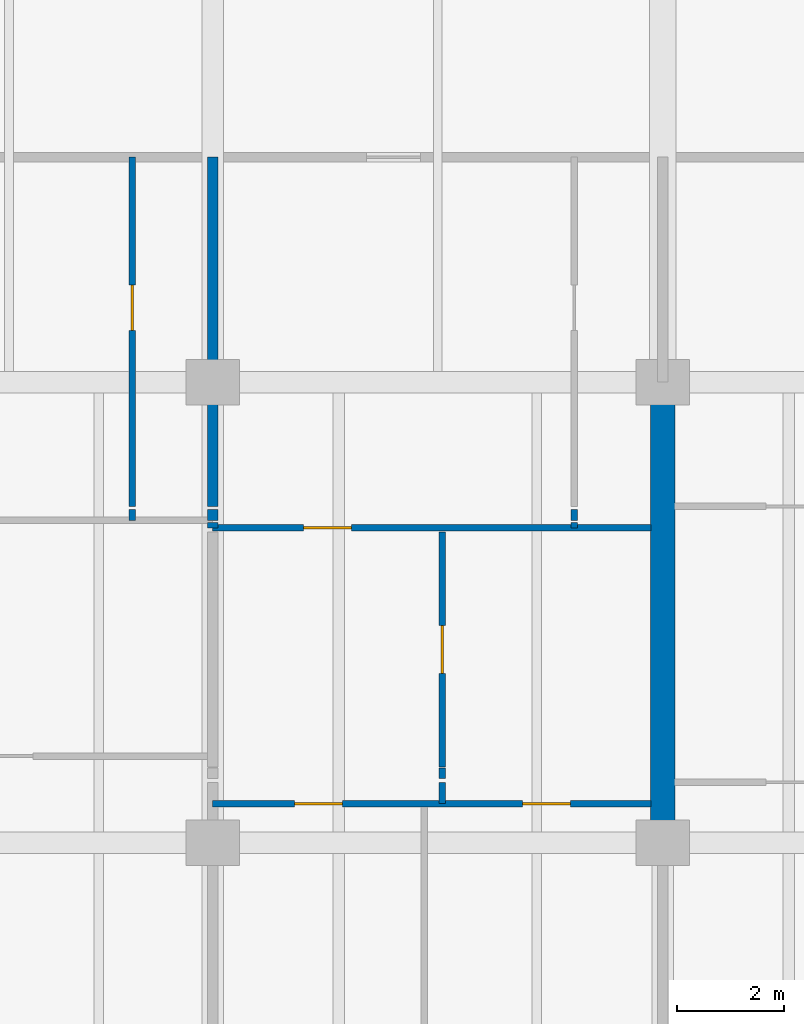
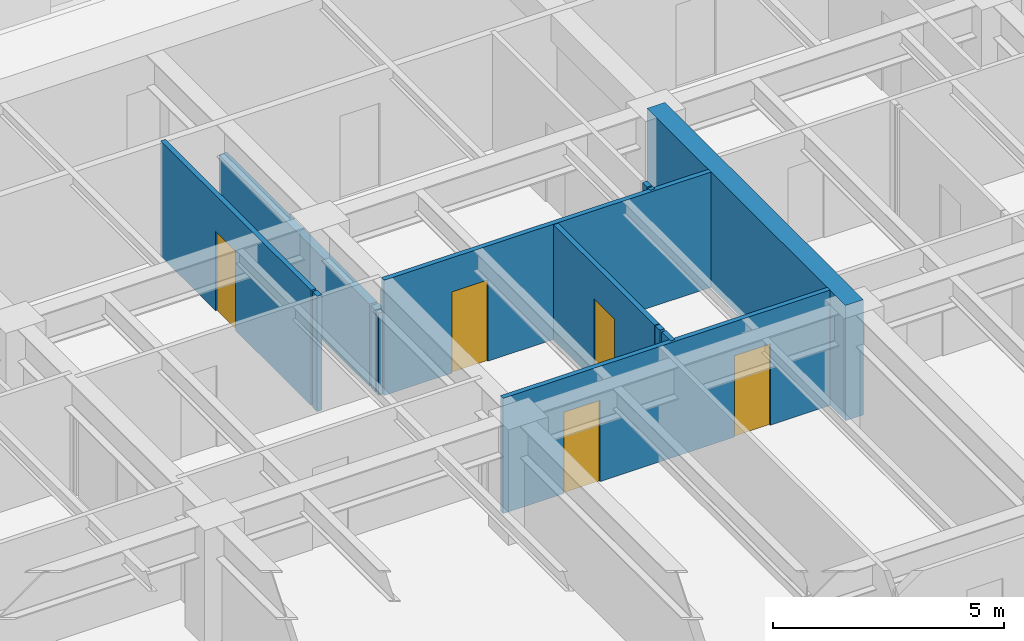
# One storey, part 9 of 19: 13 walls, 5 doors, 5 openings.
"""IFC4 building model written with IfcOpenShell, lengths in metres."""

from ifc_helpers import new_model, si_unit, direction, frame, frame_2d, origin, place, context, subcontext, project, spatial, rectangle, extrude, material, layer, layer_set, type_object, element, fill, save


model = new_model("IFC4")

# Units and contexts
model_context = context("Model", 3, precision=1e-05, world=origin(), true_north=direction((0.0, 1.0)))
body_context = subcontext(model_context, "Body", "Model", "MODEL_VIEW")
ifc_project = project(units=[si_unit("LENGTHUNIT", "METRE"), si_unit("AREAUNIT", "SQUARE_METRE"), si_unit("VOLUMEUNIT", "CUBIC_METRE"), si_unit("PLANEANGLEUNIT", "RADIAN"), si_unit("MASSUNIT", "GRAM", prefix="KILO")], contexts=[model_context])

# Site, building, storey
site_placement = place(None, origin())
site = spatial("IfcSite", under=ifc_project, at=site_placement, CompositionType="ELEMENT")
building_placement = place(site_placement, origin())
building = spatial("IfcBuilding", under=site, at=building_placement, Name="Caelmar Bay Residences", CompositionType="ELEMENT")
storey_placement = place(building_placement, frame((0.0, 0.0, 112.5)))
storey = spatial("IfcBuildingStorey", under=building, at=storey_placement, Name="L30", CompositionType="ELEMENT", Elevation=112.5)

# Walls
ifc_material_1 = material(Name="Concrete f'c 55 MPa (8,000 psi)", Category="concrete")
ifc_layer_1 = layer(ifc_material_1, 0.449951171875)
ifc_layer_set_1 = layer_set([ifc_layer_1], Name="Concrete f'c 55 MPa (8,000 psi)")
wall_type_1 = type_object("IfcWallType", Name="SW-XSLB-450", PredefinedType="SHEAR", material=ifc_layer_set_1)
wall_1_placement = place(storey_placement, frame((51.10009765625, 20.800048828125, 0.0), z_axis=(0.0, 0.0, 1.0), x_axis=(0.0, 1.0, 0.0)))
element("IfcWall", 1, at=wall_1_placement, inside=storey, type_object=wall_type_1, Name="L30 Transverse Cross-Slab Shear Wall E8", PredefinedType="SHEAR", context=body_context, shape_type="SweptSolid", body=[
    extrude(rectangle(XDim=8.599853515625, YDim=0.449951171875, at=frame_2d((4.2998046875, 0.0))), origin(), (0.0, 0.0, 1.0), 3.050048828125),
])
ifc_material_2 = material(Name="Acoustic metal-stud gypsum partition 120 mm")
ifc_layer_2 = layer(ifc_material_2, 0.1201171875)
ifc_layer_set_2 = layer_set([ifc_layer_2], Name="Acoustic metal-stud gypsum partition 120 mm")
wall_type_2 = type_object("IfcWallType", Name="W-PRT-120", PredefinedType="PARTITIONING", material=ifc_layer_set_2)
wall_2_placement = place(storey_placement, frame((41.199951171875, 26.820068359375, 0.0), z_axis=(0.0, 0.0, 1.0), x_axis=(0.0, 1.0, 0.0)))
element("IfcWall", 2, at=wall_2_placement, inside=storey, type_object=wall_type_2, Name="L30 Partition Wall V053", PredefinedType="PARTITIONING", context=body_context, shape_type="SweptSolid", body=[
    extrude(rectangle(XDim=0.199951171875, YDim=0.1201171875, at=frame_2d((0.10009765625, 0.0))), origin(), (0.0, 0.0, 1.0), 3.050048828125),
])

# Wall, opening, door
wall_3_placement = place(storey_placement, frame((41.199951171875, 27.080078125, 0.0), z_axis=(0.0, 0.0, 1.0), x_axis=(0.0, 1.0, 0.0)))
wall_3 = element("IfcWall", 3, at=wall_3_placement, inside=storey, type_object=wall_type_2, Name="L30 Partition Wall V054", PredefinedType="PARTITIONING", context=body_context, shape_type="SweptSolid", body=[
    extrude(rectangle(XDim=6.52001953125, YDim=0.1201171875, at=frame_2d((3.260009765625, 0.0))), origin(), (0.0, 0.0, 1.0), 3.050048828125),
])
opening_1_placement = place(wall_3_placement, frame((3.284912109375, 0.0, 0.0)))
opening_1 = element("IfcOpeningElement", 4, at=opening_1_placement, cuts=wall_3, Name="Opening D-L30-137", PredefinedType="OPENING", context=body_context, shape_type="SweptSolid", body=[
    extrude(rectangle(XDim=0.85009765625, YDim=2.10009765625, at=frame_2d((0.425048828125, 1.050048828125))), frame((0.0, 0.070068359375, 0.0), z_axis=(0.0, -1.0, 0.0), x_axis=(1.0, 0.0, 0.0)), (0.0, 0.0, 1.0), 0.14013671875),
])
ifc_material_3 = material(Name="Solid walnut timber interior door leaf and frame", Category="wood")
ifc_layer_3 = layer(ifc_material_3, 0.050048828125)
ifc_layer_set_3 = layer_set([ifc_layer_3], Name="Solid walnut timber interior door leaf and frame")
door_type_1 = type_object("IfcDoorType", Name="D-BATH-850", OperationType="NOTDEFINED", PredefinedType="DOOR", material=ifc_layer_set_3)
door_1_placement = place(opening_1_placement, origin())
door_1 = element("IfcDoor", 5, at=door_1_placement, inside=storey, type_object=door_type_1, Name="L30 Residence 02 En-Suite Bathroom 1 Door", OperationType="SINGLE_SWING_LEFT", OverallHeight=2.10009765625, OverallWidth=0.85009765625, PredefinedType="DOOR", context=body_context, shape_type="SweptSolid", body=[
    extrude(rectangle(XDim=0.85009765625, YDim=2.10009765625, at=frame_2d((0.425048828125, 1.050048828125))), frame((0.0, 0.02490234375, 0.0), z_axis=(0.0, -1.0, 0.0), x_axis=(1.0, 0.0, 0.0)), (0.0, 0.0, 1.0), 0.050048828125),
])
fill(opening_1, door_1)

# Walls
wall_4_placement = place(storey_placement, frame((46.986083984375, 21.530029296875, 0.0), z_axis=(0.0, 0.0, 1.0), x_axis=(0.0, 1.0, 0.0)))
element("IfcWall", 6, at=wall_4_placement, inside=storey, type_object=wall_type_2, Name="L30 Partition Wall V066", PredefinedType="PARTITIONING", context=body_context, shape_type="SweptSolid", body=[
    extrude(rectangle(XDim=0.39990234375, YDim=0.1201171875, at=frame_2d((0.199951171875, 0.0))), origin(), (0.0, 0.0, 1.0), 3.050048828125),
])
wall_5_placement = place(storey_placement, frame((46.986083984375, 22.0, 0.0), z_axis=(0.0, 0.0, 1.0), x_axis=(0.0, 1.0, 0.0)))
element("IfcWall", 7, at=wall_5_placement, inside=storey, type_object=wall_type_2, Name="L30 Partition Wall V067", PredefinedType="PARTITIONING", context=body_context, shape_type="SweptSolid", body=[
    extrude(rectangle(XDim=0.199951171875, YDim=0.1201171875, at=frame_2d((0.10009765625, 0.0))), origin(), (0.0, 0.0, 1.0), 3.050048828125),
])

# Wall, opening, door
wall_6_placement = place(storey_placement, frame((46.986083984375, 22.219970703125, 0.0), z_axis=(0.0, 0.0, 1.0), x_axis=(0.0, 1.0, 0.0)))
wall_6 = element("IfcWall", 8, at=wall_6_placement, inside=storey, type_object=wall_type_2, Name="L30 Partition Wall V068", PredefinedType="PARTITIONING", context=body_context, shape_type="SweptSolid", body=[
    extrude(rectangle(XDim=4.380126953125, YDim=0.1201171875, at=frame_2d((2.18994140625, 0.0))), origin(), (0.0, 0.0, 1.0), 3.050048828125),
])
opening_2_placement = place(wall_6_placement, frame((1.739990234375, 0.0, 0.0)))
opening_2 = element("IfcOpeningElement", 9, at=opening_2_placement, cuts=wall_6, Name="Opening D-L30-143", PredefinedType="OPENING", context=body_context, shape_type="SweptSolid", body=[
    extrude(rectangle(XDim=0.89990234375, YDim=2.14990234375, at=frame_2d((0.449951171875, 1.074951171875))), frame((0.0, 0.070068359375, 0.0), z_axis=(0.0, -1.0, 0.0), x_axis=(1.0, 0.0, 0.0)), (0.0, 0.0, 1.0), 0.14013671875),
])
ifc_layer_4 = layer(ifc_material_3, 0.050048828125)
ifc_layer_set_4 = layer_set([ifc_layer_4], Name="Solid walnut timber interior door leaf and frame")
door_type_2 = type_object("IfcDoorType", Name="D-ROOM-900", OperationType="NOTDEFINED", PredefinedType="DOOR", material=ifc_layer_set_4)
door_2_placement = place(opening_2_placement, origin())
door_2 = element("IfcDoor", 10, at=door_2_placement, inside=storey, type_object=door_type_2, Name="L30 Residence 03 Private Meeting Room Door", OperationType="SINGLE_SWING_LEFT", OverallHeight=2.14990234375, OverallWidth=0.89990234375, PredefinedType="DOOR", context=body_context, shape_type="SweptSolid", body=[
    extrude(rectangle(XDim=0.89990234375, YDim=2.14990234375, at=frame_2d((0.449951171875, 1.074951171875))), frame((0.0, 0.02490234375, 0.0), z_axis=(0.0, -1.0, 0.0), x_axis=(1.0, 0.0, 0.0)), (0.0, 0.0, 1.0), 0.050048828125),
])
fill(opening_2, door_2)

# Walls
wall_7_placement = place(storey_placement, frame((49.449951171875, 26.679931640625, 0.0), z_axis=(0.0, 0.0, 1.0), x_axis=(0.0, 1.0, 0.0)))
element("IfcWall", 11, at=wall_7_placement, inside=storey, type_object=wall_type_2, Name="L30 Partition Wall V070", PredefinedType="PARTITIONING", context=body_context, shape_type="SweptSolid", body=[
    extrude(rectangle(XDim=0.10009765625, YDim=0.1201171875, at=frame_2d((0.050048828125, 0.0))), origin(), (0.0, 0.0, 1.0), 3.050048828125),
])
wall_8_placement = place(storey_placement, frame((49.449951171875, 26.820068359375, 0.0), z_axis=(0.0, 0.0, 1.0), x_axis=(0.0, 1.0, 0.0)))
element("IfcWall", 12, at=wall_8_placement, inside=storey, type_object=wall_type_2, Name="L30 Partition Wall V071", PredefinedType="PARTITIONING", context=body_context, shape_type="SweptSolid", body=[
    extrude(rectangle(XDim=0.199951171875, YDim=0.1201171875, at=frame_2d((0.10009765625, 0.0))), origin(), (0.0, 0.0, 1.0), 3.050048828125),
])

# Wall, openings, doors
wall_9_placement = place(storey_placement, frame((42.699951171875, 21.530029296875, 0.0), z_axis=(0.0, 0.0, 1.0), x_axis=(1.0, 0.0, 0.0)))
wall_9 = element("IfcWall", 13, at=wall_9_placement, inside=storey, type_object=wall_type_2, Name="L30 Partition Wall H125", PredefinedType="PARTITIONING", context=body_context, shape_type="SweptSolid", body=[
    extrude(rectangle(XDim=8.179931640625, YDim=0.1201171875, at=frame_2d((4.08984375, 0.0))), origin(), (0.0, 0.0, 1.0), 3.050048828125),
])
opening_3_placement = place(wall_9_placement, frame((1.52392578125, 0.0, 0.0)))
opening_3 = element("IfcOpeningElement", 14, at=opening_3_placement, cuts=wall_9, Name="Opening D-L30-144", PredefinedType="OPENING", context=body_context, shape_type="SweptSolid", body=[
    extrude(rectangle(XDim=0.89990234375, YDim=2.14990234375, at=frame_2d((0.449951171875, 1.074951171875))), frame((0.0, 0.070068359375, 0.0), z_axis=(0.0, -1.0, 0.0), x_axis=(1.0, 0.0, 0.0)), (0.0, 0.0, 1.0), 0.14013671875),
])
opening_4_placement = place(wall_9_placement, frame((5.782958984375, 0.0, 0.0)))
opening_4 = element("IfcOpeningElement", 15, at=opening_4_placement, cuts=wall_9, Name="Opening D-L30-145", PredefinedType="OPENING", context=body_context, shape_type="SweptSolid", body=[
    extrude(rectangle(XDim=0.89990234375, YDim=2.14990234375, at=frame_2d((0.449951171875, 1.074951171875))), frame((0.0, 0.070068359375, 0.0), z_axis=(0.0, -1.0, 0.0), x_axis=(1.0, 0.0, 0.0)), (0.0, 0.0, 1.0), 0.14013671875),
])
door_3_placement = place(opening_3_placement, origin())
door_3 = element("IfcDoor", 16, at=door_3_placement, inside=storey, type_object=door_type_2, Name="L30 Residence 03 Living Room Door", OperationType="SINGLE_SWING_RIGHT", OverallHeight=2.14990234375, OverallWidth=0.89990234375, PredefinedType="DOOR", context=body_context, shape_type="SweptSolid", body=[
    extrude(rectangle(XDim=0.89990234375, YDim=2.14990234375, at=frame_2d((0.449951171875, 1.074951171875))), frame((0.0, 0.02490234375, 0.0), z_axis=(0.0, -1.0, 0.0), x_axis=(1.0, 0.0, 0.0)), (0.0, 0.0, 1.0), 0.050048828125),
])
fill(opening_3, door_3)
door_4_placement = place(opening_4_placement, origin())
door_4 = element("IfcDoor", 17, at=door_4_placement, inside=storey, type_object=door_type_2, Name="L30 Residence 03 Penthouse Sitting Room Door", OperationType="SINGLE_SWING_LEFT", OverallHeight=2.14990234375, OverallWidth=0.89990234375, PredefinedType="DOOR", context=body_context, shape_type="SweptSolid", body=[
    extrude(rectangle(XDim=0.89990234375, YDim=2.14990234375, at=frame_2d((0.449951171875, 1.074951171875))), frame((0.0, 0.02490234375, 0.0), z_axis=(0.0, -1.0, 0.0), x_axis=(1.0, 0.0, 0.0)), (0.0, 0.0, 1.0), 0.050048828125),
])
fill(opening_4, door_4)

# Wall, opening, door
wall_10_placement = place(storey_placement, frame((42.699951171875, 26.679931640625, 0.0), z_axis=(0.0, 0.0, 1.0), x_axis=(1.0, 0.0, 0.0)))
wall_10 = element("IfcWall", 18, at=wall_10_placement, inside=storey, type_object=wall_type_2, Name="L30 Partition Wall H133", PredefinedType="PARTITIONING", context=body_context, shape_type="SweptSolid", body=[
    extrude(rectangle(XDim=8.179931640625, YDim=0.1201171875, at=frame_2d((4.08984375, 0.0))), origin(), (0.0, 0.0, 1.0), 3.050048828125),
])
opening_5_placement = place(wall_10_placement, frame((1.693115234375, 0.0, 0.0)))
opening_5 = element("IfcOpeningElement", 19, at=opening_5_placement, cuts=wall_10, Name="Opening D-L30-142", PredefinedType="OPENING", context=body_context, shape_type="SweptSolid", body=[
    extrude(rectangle(XDim=0.89990234375, YDim=2.14990234375, at=frame_2d((0.449951171875, 1.074951171875))), frame((0.0, 0.070068359375, 0.0), z_axis=(0.0, -1.0, 0.0), x_axis=(1.0, 0.0, 0.0)), (0.0, 0.0, 1.0), 0.14013671875),
])
door_5_placement = place(opening_5_placement, origin())
door_5 = element("IfcDoor", 20, at=door_5_placement, inside=storey, type_object=door_type_2, Name="L30 Residence 03 Kitchen Door", OperationType="SINGLE_SWING_RIGHT", OverallHeight=2.14990234375, OverallWidth=0.89990234375, PredefinedType="DOOR", context=body_context, shape_type="SweptSolid", body=[
    extrude(rectangle(XDim=0.89990234375, YDim=2.14990234375, at=frame_2d((0.449951171875, 1.074951171875))), frame((0.0, 0.02490234375, 0.0), z_axis=(0.0, -1.0, 0.0), x_axis=(1.0, 0.0, 0.0)), (0.0, 0.0, 1.0), 0.050048828125),
])
fill(opening_5, door_5)

# Walls
ifc_material_4 = material(Name="Acoustic twin-stud fire-rated inter-tenancy partition 200 mm")
ifc_layer_5 = layer(ifc_material_4, 0.199951171875)
ifc_layer_set_5 = layer_set([ifc_layer_5], Name="Acoustic twin-stud fire-rated inter-tenancy partition 200 mm")
wall_type_3 = type_object("IfcWallType", Name="W-PTY-200", PredefinedType="PARTITIONING", material=ifc_layer_set_5)
wall_11_placement = place(storey_placement, frame((42.699951171875, 26.679931640625, 0.0), z_axis=(0.0, 0.0, 1.0), x_axis=(0.0, 1.0, 0.0)))
element("IfcWall", 21, at=wall_11_placement, inside=storey, type_object=wall_type_3, Name="L30 Partition Wall V059", PredefinedType="PARTITIONING", context=body_context, shape_type="SweptSolid", body=[
    extrude(rectangle(XDim=0.10009765625, YDim=0.199951171875, at=frame_2d((0.050048828125, 0.0))), origin(), (0.0, 0.0, 1.0), 2.174072265625),
])
wall_12_placement = place(storey_placement, frame((42.699951171875, 26.820068359375, 0.0), z_axis=(0.0, 0.0, 1.0), x_axis=(0.0, 1.0, 0.0)))
element("IfcWall", 22, at=wall_12_placement, inside=storey, type_object=wall_type_3, Name="L30 Partition Wall V060", PredefinedType="PARTITIONING", context=body_context, shape_type="SweptSolid", body=[
    extrude(rectangle(XDim=0.199951171875, YDim=0.199951171875, at=frame_2d((0.10009765625, 0.0))), origin(), (0.0, 0.0, 1.0), 2.174072265625),
])
wall_13_placement = place(storey_placement, frame((42.699951171875, 27.080078125, 0.0), z_axis=(0.0, 0.0, 1.0), x_axis=(0.0, 1.0, 0.0)))
element("IfcWall", 23, at=wall_13_placement, inside=storey, type_object=wall_type_3, Name="L30 Partition Wall V061", PredefinedType="PARTITIONING", context=body_context, shape_type="SweptSolid", body=[
    extrude(rectangle(XDim=6.52001953125, YDim=0.199951171875, at=frame_2d((3.260009765625, 0.0))), origin(), (0.0, 0.0, 1.0), 2.174072265625),
])

save(model, "model.ifc")
